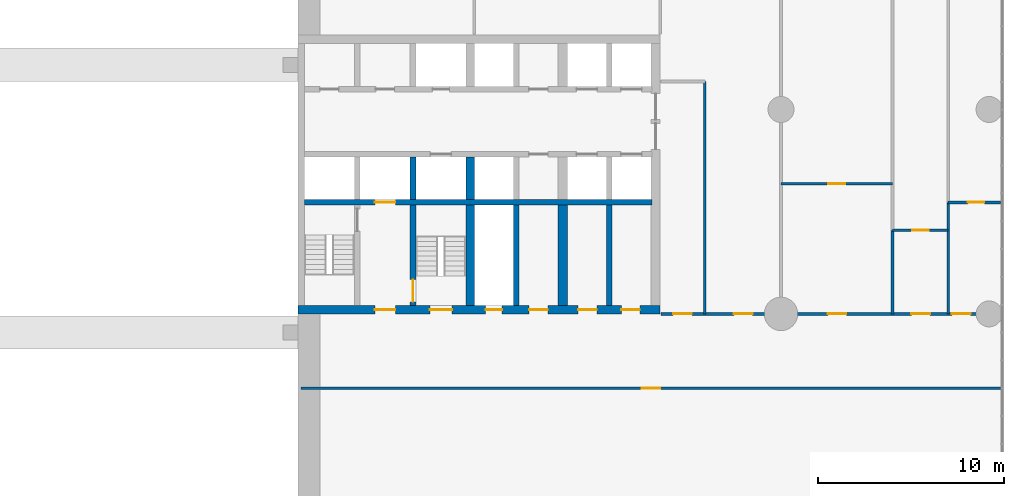
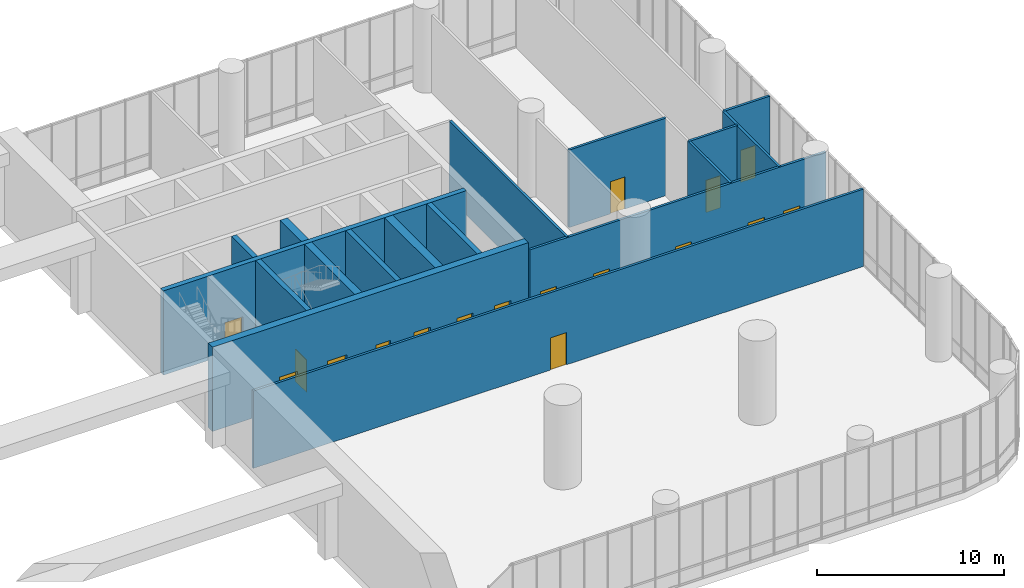
# One storey, part 26 of 30: 17 doors, 17 walls, 17 openings.
"""IFC4 building model written with IfcOpenShell, lengths in metres."""

from ifc_helpers import new_model, si_unit, direction, frame, frame_2d, origin, place, context, subcontext, project, spatial, rectangle, extrude, material, layer, layer_set, type_object, element, fill, save


model = new_model("IFC4")

# Units and contexts
model_context = context("Model", 3, precision=1e-05, world=origin(), true_north=direction((0.0, 1.0)))
body_context = subcontext(model_context, "Body", "Model", "MODEL_VIEW")
ifc_project = project(units=[si_unit("LENGTHUNIT", "METRE"), si_unit("AREAUNIT", "SQUARE_METRE"), si_unit("VOLUMEUNIT", "CUBIC_METRE"), si_unit("PLANEANGLEUNIT", "RADIAN"), si_unit("MASSUNIT", "GRAM", prefix="KILO")], contexts=[model_context])

# Site, building, storey
site_placement = place(None, origin())
site = spatial("IfcSite", under=ifc_project, at=site_placement, CompositionType="ELEMENT")
building_placement = place(site_placement, origin())
building = spatial("IfcBuilding", under=site, at=building_placement, Name="Torana Hotel and Residences", CompositionType="ELEMENT")
storey_placement = place(building_placement, frame((0.0, 0.0, 12.5)))
storey = spatial("IfcBuildingStorey", under=building, at=storey_placement, Name="L02", CompositionType="ELEMENT", Elevation=12.5)

# Wall, opening, door
ifc_material_1 = material(Name="Concrete C80/95", Category="concrete")
ifc_layer_1 = layer(ifc_material_1, 0.300048828125)
ifc_layer_set_1 = layer_set([ifc_layer_1], Name="CORE WALL 300 C80/95")
wall_type_1 = type_object("IfcWallType", Name="CORE WALL 300 C80/95", PredefinedType="SHEAR", material=ifc_layer_set_1)
wall_1_placement = place(storey_placement, frame((10.35009765625, -9.0, 0.0), z_axis=(0.0, 0.0, 1.0), x_axis=(1.0, 0.0, 0.0)))
wall_1 = element("IfcWall", 1, at=wall_1_placement, inside=storey, type_object=wall_type_1, Name="Core wall E band", PredefinedType="SHEAR", context=body_context, shape_type="SweptSolid", body=[
    extrude(rectangle(XDim=18.699951171875, YDim=0.300048828125, at=frame_2d((9.35009765625, 0.0))), origin(), (0.0, 0.0, 1.0), 5.5),
])
opening_1_placement = place(wall_1_placement, frame((3.800048828125, 0.0, 0.0)))
opening_1 = element("IfcOpeningElement", 2, at=opening_1_placement, cuts=wall_1, Name="Opening LD", PredefinedType="OPENING", context=body_context, shape_type="SweptSolid", body=[
    extrude(rectangle(XDim=1.10009765625, YDim=2.10009765625, at=frame_2d((0.550048828125, 1.050048828125))), frame((0.0, 0.159912109375, 0.0), z_axis=(0.0, -1.0, 0.0), x_axis=(1.0, 0.0, 0.0)), (0.0, 0.0, 1.0), 0.320068359375),
])
ifc_material_2 = material(Name="Stainless steel 316", Category="steel")
door_type_1 = type_object("IfcDoorType", Name="LIFT LANDING DOOR LD 1100x2100", OperationType="DOUBLE_DOOR_SLIDING", PredefinedType="USERDEFINED", material=ifc_material_2)
door_1_placement = place(opening_1_placement, origin())
door_1 = element("IfcDoor", 3, at=door_1_placement, inside=storey, type_object=door_type_1, Name="Lift landing door FF2 L02", ObjectType="LIFT LANDING DOOR", OperationType="DOUBLE_DOOR_SLIDING", OverallHeight=2.10009765625, OverallWidth=1.10009765625, PredefinedType="USERDEFINED", context=body_context, shape_type="SweptSolid", body=[
    extrude(rectangle(XDim=1.10009765625, YDim=2.10009765625, at=frame_2d((0.550048828125, 1.050048828125))), frame((0.0, 0.02490234375, 0.0), z_axis=(0.0, -1.0, 0.0), x_axis=(1.0, 0.0, 0.0)), (0.0, 0.0, 1.0), 0.050048828125),
])
fill(opening_1, door_1)

# Wall
wall_2_placement = place(storey_placement, frame((16.199951171875, -8.85009765625, 0.0), z_axis=(0.0, 0.0, 1.0), x_axis=(0.0, 1.0, 0.0)))
element("IfcWall", 4, at=wall_2_placement, inside=storey, type_object=wall_type_1, Name="Core wall E x6.05-S", PredefinedType="SHEAR", context=body_context, shape_type="SweptSolid", body=[
    extrude(rectangle(XDim=2.300048828125, YDim=0.300048828125, at=frame_2d((1.14990234375, 0.0))), origin(), (0.0, 0.0, 1.0), 5.5),
])

# Wall, opening, door
wall_3_placement = place(storey_placement, frame((16.199951171875, -14.550048828125, 0.0), z_axis=(0.0, 0.0, 1.0), x_axis=(0.0, 1.0, 0.0)))
wall_3 = element("IfcWall", 5, at=wall_3_placement, inside=storey, type_object=wall_type_1, Name="Core wall E x6.05-band", PredefinedType="SHEAR", context=body_context, shape_type="SweptSolid", body=[
    extrude(rectangle(XDim=5.400146484375, YDim=0.300048828125, at=frame_2d((2.7001953125, 0.0))), origin(), (0.0, 0.0, 1.0), 5.5),
])
opening_2_placement = place(wall_3_placement, frame((0.199951171875, 0.0, 0.0)))
opening_2 = element("IfcOpeningElement", 6, at=opening_2_placement, cuts=wall_3, Name="Opening L02-30", PredefinedType="OPENING", context=body_context, shape_type="SweptSolid", body=[
    extrude(rectangle(XDim=1.199951171875, YDim=2.10009765625, at=frame_2d((0.60009765625, 1.050048828125))), frame((0.0, 0.159912109375, 0.0), z_axis=(0.0, -1.0, 0.0), x_axis=(1.0, 0.0, 0.0)), (0.0, 0.0, 1.0), 0.320068359375),
])
ifc_material_3 = material(Name="Steel S235", Category="steel")
door_type_2 = type_object("IfcDoorType", Name="STAIR FIRE DOOR D3 1200x2100", OperationType="SINGLE_SWING_LEFT", PredefinedType="DOOR", material=ifc_material_3)
door_2_placement = place(opening_2_placement, frame((0.60009765625, 0.0, 0.0), z_axis=(0.0, 0.0, 1.0), x_axis=(-1.0, 0.0, 0.0)))
door_2 = element("IfcDoor", 7, at=door_2_placement, inside=storey, type_object=door_type_2, Name="Stair-B-lobby door L02", OperationType="SINGLE_SWING_LEFT", OverallHeight=2.10009765625, OverallWidth=1.199951171875, PredefinedType="DOOR", context=body_context, shape_type="SweptSolid", body=[
    extrude(rectangle(XDim=1.199951171875, YDim=2.10009765625, at=frame_2d((0.0, 1.050048828125))), frame((0.0, -0.02490234375, 0.0), z_axis=(0.0, 1.0, 0.0), x_axis=(-1.0, 0.0, 0.0)), (0.0, 0.0, 1.0), 0.050048828125),
])
fill(opening_2, door_2)

# Walls
for number, where, z_axis, x_axis, name in (
    (8, (21.75, -14.550048828125, 0.0), (0.0, 0.0, 1.0), (0.0, 1.0, 0.0), "Core wall E mm-band"),
    (9, (26.75, -14.550048828125, 0.0), (0.0, 0.0, 1.0), (0.0, 1.0, 0.0), "Core wall E ll-band"),
):
    element("IfcWall", number, at=place(storey_placement, frame(where, z_axis=z_axis, x_axis=x_axis)), inside=storey, type_object=wall_type_1, Name=name, PredefinedType="SHEAR", context=body_context, shape_type="SweptSolid", body=[
        extrude(rectangle(XDim=5.400146484375, YDim=0.300048828125, at=frame_2d((2.7001953125, 0.0))), origin(), (0.0, 0.0, 1.0), 5.5),
    ])

# Wall, openings, doors
ifc_material_4 = material(Name="Concrete C80/95", Category="concrete")
ifc_layer_2 = layer(ifc_material_4, 0.449951171875)
ifc_layer_set_2 = layer_set([ifc_layer_2], Name="CORE WALL 450 C80/95")
wall_type_2 = type_object("IfcWallType", Name="CORE WALL 450 C80/95", PredefinedType="SHEAR", material=ifc_layer_set_2)
wall_4_placement = place(storey_placement, frame((10.0, -14.77490234375, 0.0), z_axis=(0.0, 0.0, 1.0), x_axis=(1.0, 0.0, 0.0)))
wall_4 = element("IfcWall", 10, at=wall_4_placement, inside=storey, type_object=wall_type_2, Name="Core wall E front", PredefinedType="SHEAR", context=body_context, shape_type="SweptSolid", body=[
    extrude(rectangle(XDim=19.5, YDim=0.449951171875, at=frame_2d((9.75, 0.0))), origin(), (0.0, 0.0, 1.0), 5.5),
])
opening_3_placement = place(wall_4_placement, frame((7.10009765625, 0.0, 0.0)))
opening_3 = element("IfcOpeningElement", 11, at=opening_3_placement, cuts=wall_4, Name="Opening L02-18", PredefinedType="OPENING", context=body_context, shape_type="SweptSolid", body=[
    extrude(rectangle(XDim=1.199951171875, YDim=2.10009765625, at=frame_2d((0.60009765625, 1.050048828125))), frame((0.0, 0.23486328125, 0.0), z_axis=(0.0, -1.0, 0.0), x_axis=(1.0, 0.0, 0.0)), (0.0, 0.0, 1.0), 0.469970703125),
])
opening_4_placement = place(wall_4_placement, frame((4.14990234375, 0.0, 0.0)))
opening_4 = element("IfcOpeningElement", 12, at=opening_4_placement, cuts=wall_4, Name="Opening L02-19", PredefinedType="OPENING", context=body_context, shape_type="SweptSolid", body=[
    extrude(rectangle(XDim=1.10009765625, YDim=2.10009765625, at=frame_2d((0.550048828125, 1.050048828125))), frame((0.0, 0.23486328125, 0.0), z_axis=(0.0, -1.0, 0.0), x_axis=(1.0, 0.0, 0.0)), (0.0, 0.0, 1.0), 0.469970703125),
])
opening_5_placement = place(wall_4_placement, frame((10.10009765625, 0.0, 0.0)))
opening_5 = element("IfcOpeningElement", 13, at=opening_5_placement, cuts=wall_4, Name="Opening L02-20", PredefinedType="OPENING", context=body_context, shape_type="SweptSolid", body=[
    extrude(rectangle(XDim=0.89990234375, YDim=2.10009765625, at=frame_2d((0.449951171875, 1.050048828125))), frame((0.0, 0.23486328125, 0.0), z_axis=(0.0, -1.0, 0.0), x_axis=(1.0, 0.0, 0.0)), (0.0, 0.0, 1.0), 0.469970703125),
])
opening_6_placement = place(wall_4_placement, frame((12.449951171875, 0.0, 0.0)))
opening_6 = element("IfcOpeningElement", 14, at=opening_6_placement, cuts=wall_4, Name="Opening L02-21", PredefinedType="OPENING", context=body_context, shape_type="SweptSolid", body=[
    extrude(rectangle(XDim=1.0, YDim=2.10009765625, at=frame_2d((0.5, 1.050048828125))), frame((0.0, 0.23486328125, 0.0), z_axis=(0.0, -1.0, 0.0), x_axis=(1.0, 0.0, 0.0)), (0.0, 0.0, 1.0), 0.469970703125),
])
opening_7_placement = place(wall_4_placement, frame((15.08740234375, 0.0, 0.0)))
opening_7 = element("IfcOpeningElement", 15, at=opening_7_placement, cuts=wall_4, Name="Opening L02-22", PredefinedType="OPENING", context=body_context, shape_type="SweptSolid", body=[
    extrude(rectangle(XDim=1.0, YDim=2.10009765625, at=frame_2d((0.5, 1.050048828125))), frame((0.0, 0.23486328125, 0.0), z_axis=(0.0, -1.0, 0.0), x_axis=(1.0, 0.0, 0.0)), (0.0, 0.0, 1.0), 0.469970703125),
])
opening_8_placement = place(wall_4_placement, frame((17.41259765625, 0.0, 0.0)))
opening_8 = element("IfcOpeningElement", 16, at=opening_8_placement, cuts=wall_4, Name="Opening L02-23", PredefinedType="OPENING", context=body_context, shape_type="SweptSolid", body=[
    extrude(rectangle(XDim=1.0, YDim=2.10009765625, at=frame_2d((0.5, 1.050048828125))), frame((0.0, 0.23486328125, 0.0), z_axis=(0.0, -1.0, 0.0), x_axis=(1.0, 0.0, 0.0)), (0.0, 0.0, 1.0), 0.469970703125),
])
ifc_material_5 = material(Name="Steel S235", Category="steel")
door_type_3 = type_object("IfcDoorType", Name="CORE ROOM FIRE DOOR D14 1000x2100", OperationType="SINGLE_SWING_LEFT", PredefinedType="DOOR", material=ifc_material_5)
door_3_placement = place(opening_6_placement, origin())
door_3 = element("IfcDoor", 17, at=door_3_placement, inside=storey, type_object=door_type_3, Name="M-Room door L02", OperationType="SINGLE_SWING_RIGHT", OverallHeight=2.10009765625, OverallWidth=1.0, PredefinedType="DOOR", context=body_context, shape_type="SweptSolid", body=[
    extrude(rectangle(XDim=1.0, YDim=2.10009765625, at=frame_2d((0.5, 1.050048828125))), frame((0.0, 0.02490234375, 0.0), z_axis=(0.0, -1.0, 0.0), x_axis=(1.0, 0.0, 0.0)), (0.0, 0.0, 1.0), 0.050048828125),
])
fill(opening_6, door_3)
door_4_placement = place(opening_7_placement, origin())
door_4 = element("IfcDoor", 18, at=door_4_placement, inside=storey, type_object=door_type_3, Name="L-A door L02", OperationType="SINGLE_SWING_RIGHT", OverallHeight=2.10009765625, OverallWidth=1.0, PredefinedType="DOOR", context=body_context, shape_type="SweptSolid", body=[
    extrude(rectangle(XDim=1.0, YDim=2.10009765625, at=frame_2d((0.5, 1.050048828125))), frame((0.0, 0.02490234375, 0.0), z_axis=(0.0, -1.0, 0.0), x_axis=(1.0, 0.0, 0.0)), (0.0, 0.0, 1.0), 0.050048828125),
])
fill(opening_7, door_4)
door_5_placement = place(opening_8_placement, origin())
door_5 = element("IfcDoor", 19, at=door_5_placement, inside=storey, type_object=door_type_3, Name="L-B door L02", OperationType="SINGLE_SWING_RIGHT", OverallHeight=2.10009765625, OverallWidth=1.0, PredefinedType="DOOR", context=body_context, shape_type="SweptSolid", body=[
    extrude(rectangle(XDim=1.0, YDim=2.10009765625, at=frame_2d((0.5, 1.050048828125))), frame((0.0, 0.02490234375, 0.0), z_axis=(0.0, -1.0, 0.0), x_axis=(1.0, 0.0, 0.0)), (0.0, 0.0, 1.0), 0.050048828125),
])
fill(opening_8, door_5)
ifc_material_6 = material(Name="Steel S235", Category="steel")
door_type_4 = type_object("IfcDoorType", Name="FIRE-FIGHTING LOBBY DOOR D8 1100x2100", OperationType="SINGLE_SWING_LEFT", PredefinedType="DOOR", material=ifc_material_6)
door_6_placement = place(opening_4_placement, origin())
door_6 = element("IfcDoor", 20, at=door_6_placement, inside=storey, type_object=door_type_4, Name="FF-lobby door L02", OperationType="SINGLE_SWING_RIGHT", OverallHeight=2.10009765625, OverallWidth=1.10009765625, PredefinedType="DOOR", context=body_context, shape_type="SweptSolid", body=[
    extrude(rectangle(XDim=1.10009765625, YDim=2.10009765625, at=frame_2d((0.550048828125, 1.050048828125))), frame((0.0, 0.02490234375, 0.0), z_axis=(0.0, -1.0, 0.0), x_axis=(1.0, 0.0, 0.0)), (0.0, 0.0, 1.0), 0.050048828125),
])
fill(opening_4, door_6)
ifc_material_7 = material(Name="Steel S235", Category="steel")
door_type_5 = type_object("IfcDoorType", Name="RISER ACCESS DOOR D5 900x2100", OperationType="SINGLE_SWING_LEFT", PredefinedType="DOOR", material=ifc_material_7)
door_7_placement = place(opening_5_placement, origin())
door_7 = element("IfcDoor", 21, at=door_7_placement, inside=storey, type_object=door_type_5, Name="M-Riser door L02", OperationType="SINGLE_SWING_RIGHT", OverallHeight=2.10009765625, OverallWidth=0.89990234375, PredefinedType="DOOR", context=body_context, shape_type="SweptSolid", body=[
    extrude(rectangle(XDim=0.89990234375, YDim=2.10009765625, at=frame_2d((0.449951171875, 1.050048828125))), frame((0.0, 0.02490234375, 0.0), z_axis=(0.0, -1.0, 0.0), x_axis=(1.0, 0.0, 0.0)), (0.0, 0.0, 1.0), 0.050048828125),
])
fill(opening_5, door_7)
door_8_placement = place(opening_3_placement, origin())
door_8 = element("IfcDoor", 22, at=door_8_placement, inside=storey, type_object=door_type_2, Name="Stair-B door L02", OperationType="SINGLE_SWING_RIGHT", OverallHeight=2.10009765625, OverallWidth=1.199951171875, PredefinedType="DOOR", context=body_context, shape_type="SweptSolid", body=[
    extrude(rectangle(XDim=1.199951171875, YDim=2.10009765625, at=frame_2d((0.60009765625, 1.050048828125))), frame((0.0, 0.02490234375, 0.0), z_axis=(0.0, -1.0, 0.0), x_axis=(1.0, 0.0, 0.0)), (0.0, 0.0, 1.0), 0.050048828125),
])
fill(opening_3, door_8)

# Walls
wall_5_placement = place(storey_placement, frame((19.27490234375, -8.85009765625, 0.0), z_axis=(0.0, 0.0, 1.0), x_axis=(0.0, 1.0, 0.0)))
element("IfcWall", 23, at=wall_5_placement, inside=storey, type_object=wall_type_2, Name="Core wall E hm-S", PredefinedType="SHEAR", context=body_context, shape_type="SweptSolid", body=[
    extrude(rectangle(XDim=2.300048828125, YDim=0.449951171875, at=frame_2d((1.14990234375, 0.0))), origin(), (0.0, 0.0, 1.0), 5.5),
])
wall_6_placement = place(storey_placement, frame((19.27490234375, -14.550048828125, 0.0), z_axis=(0.0, 0.0, 1.0), x_axis=(0.0, 1.0, 0.0)))
element("IfcWall", 24, at=wall_6_placement, inside=storey, type_object=wall_type_2, Name="Core wall E hm-band", PredefinedType="SHEAR", context=body_context, shape_type="SweptSolid", body=[
    extrude(rectangle(XDim=5.400146484375, YDim=0.449951171875, at=frame_2d((2.7001953125, 0.0))), origin(), (0.0, 0.0, 1.0), 5.5),
])
ifc_material_8 = material(Name="Concrete C80/95", Category="concrete")
ifc_layer_3 = layer(ifc_material_8, 0.5)
ifc_layer_set_3 = layer_set([ifc_layer_3], Name="CORE WALL 500 C80/95")
wall_type_3 = type_object("IfcWallType", Name="CORE WALL 500 C80/95", PredefinedType="SHEAR", material=ifc_layer_set_3)
wall_7_placement = place(storey_placement, frame((24.25, -14.550048828125, 0.0), z_axis=(0.0, 0.0, 1.0), x_axis=(0.0, 1.0, 0.0)))
element("IfcWall", 25, at=wall_7_placement, inside=storey, type_object=wall_type_3, Name="Core wall E ml-band", PredefinedType="SHEAR", context=body_context, shape_type="SweptSolid", body=[
    extrude(rectangle(XDim=5.400146484375, YDim=0.5, at=frame_2d((2.7001953125, 0.0))), origin(), (0.0, 0.0, 1.0), 5.5),
])
ifc_material_9 = material(Name="Gypsum plaster")
ifc_layer_4 = layer(ifc_material_9, 0.014892578125, Name="Plaster", Category="finish")
ifc_material_10 = material(Name="Concrete blockwork", Category="masonry")
ifc_layer_5 = layer(ifc_material_10, 0.1201171875, Name="Blockwork", Category="structure")
ifc_layer_6 = layer(ifc_material_9, 0.014892578125, Name="Plaster", Category="finish")
ifc_layer_set_4 = layer_set([ifc_layer_4, ifc_layer_5, ifc_layer_6], Name="FIRE PARTITION 150 BLOCKWORK")
wall_type_4 = type_object("IfcWallType", Name="FIRE PARTITION 150 BLOCKWORK", PredefinedType="PARTITIONING", material=ifc_layer_set_4)
wall_8_placement = place(storey_placement, frame((31.89990234375, -15.0, 0.0), z_axis=(0.0, 0.0, 1.0), x_axis=(0.0, 1.0, 0.0)))
element("IfcWall", 26, at=wall_8_placement, inside=storey, type_object=wall_type_4, Name="Partition L02", PredefinedType="PARTITIONING", context=body_context, shape_type="SweptSolid", body=[
    extrude(rectangle(XDim=12.5, YDim=0.14990234375, at=frame_2d((6.25, 0.0))), origin(), (0.0, 0.0, 1.0), 5.050048828125),
])

# Wall, opening, door
wall_9_placement = place(storey_placement, frame((10.179931640625, -19.0, 0.0), z_axis=(0.0, 0.0, 1.0), x_axis=(1.0, 0.0, 0.0)))
wall_9 = element("IfcWall", 27, at=wall_9_placement, inside=storey, type_object=wall_type_4, Name="Partition L02", PredefinedType="PARTITIONING", context=body_context, shape_type="SweptSolid", body=[
    extrude(rectangle(XDim=37.64013671875, YDim=0.14990234375, at=frame_2d((18.820068359375, 0.0))), origin(), (0.0, 0.0, 1.0), 5.050048828125),
])
opening_9_placement = place(wall_9_placement, frame((18.320068359375, 0.0, 0.0)))
opening_9 = element("IfcOpeningElement", 28, at=opening_9_placement, cuts=wall_9, Name="Opening L02-31", PredefinedType="OPENING", context=body_context, shape_type="SweptSolid", body=[
    extrude(rectangle(XDim=1.0, YDim=2.10009765625, at=frame_2d((0.5, 1.050048828125))), frame((0.0, 0.0849609375, 0.0), z_axis=(0.0, -1.0, 0.0), x_axis=(1.0, 0.0, 0.0)), (0.0, 0.0, 1.0), 0.169921875),
])
ifc_material_11 = material(Name="Steel S235", Category="steel")
door_type_6 = type_object("IfcDoorType", Name="ENTRY FIRE DOOR D6 1000x2100", OperationType="SINGLE_SWING_LEFT", PredefinedType="DOOR", material=ifc_material_11)
door_9_placement = place(opening_9_placement, frame((0.5, 0.0, 0.0), z_axis=(0.0, 0.0, 1.0), x_axis=(-1.0, 0.0, 0.0)))
door_9 = element("IfcDoor", 29, at=door_9_placement, inside=storey, type_object=door_type_6, Name="Door L02", OperationType="SINGLE_SWING_LEFT", OverallHeight=2.10009765625, OverallWidth=1.0, PredefinedType="DOOR", context=body_context, shape_type="SweptSolid", body=[
    extrude(rectangle(XDim=1.0, YDim=2.10009765625, at=frame_2d((0.0, 1.050048828125))), frame((0.0, -0.02490234375, 0.0), z_axis=(0.0, 1.0, 0.0), x_axis=(-1.0, 0.0, 0.0)), (0.0, 0.0, 1.0), 0.050048828125),
])
fill(opening_9, door_9)

# Wall, openings, doors
wall_10_placement = place(storey_placement, frame((29.550048828125, -15.0, 0.0), z_axis=(0.0, 0.0, 1.0), x_axis=(1.0, 0.0, 0.0)))
wall_10 = element("IfcWall", 30, at=wall_10_placement, inside=storey, type_object=wall_type_4, Name="Partition L02", PredefinedType="PARTITIONING", context=body_context, shape_type="SweptSolid", body=[
    extrude(rectangle(XDim=18.27001953125, YDim=0.14990234375, at=frame_2d((9.135009765625, 0.0))), origin(), (0.0, 0.0, 1.0), 5.050048828125),
])
opening_10_placement = place(wall_10_placement, frame((15.64990234375, 0.0, 0.0)))
opening_10 = element("IfcOpeningElement", 31, at=opening_10_placement, cuts=wall_10, Name="Opening L02-32", PredefinedType="OPENING", context=body_context, shape_type="SweptSolid", body=[
    extrude(rectangle(XDim=1.0, YDim=2.10009765625, at=frame_2d((0.5, 1.050048828125))), frame((0.0, 0.0849609375, 0.0), z_axis=(0.0, -1.0, 0.0), x_axis=(1.0, 0.0, 0.0)), (0.0, 0.0, 1.0), 0.169921875),
])
opening_11_placement = place(wall_10_placement, frame((13.469970703125, 0.0, 0.0)))
opening_11 = element("IfcOpeningElement", 32, at=opening_11_placement, cuts=wall_10, Name="Opening L02-33", PredefinedType="OPENING", context=body_context, shape_type="SweptSolid", body=[
    extrude(rectangle(XDim=1.0, YDim=2.10009765625, at=frame_2d((0.5, 1.050048828125))), frame((0.0, 0.0849609375, 0.0), z_axis=(0.0, -1.0, 0.0), x_axis=(1.0, 0.0, 0.0)), (0.0, 0.0, 1.0), 0.169921875),
])
opening_12_placement = place(wall_10_placement, frame((8.969970703125, 0.0, 0.0)))
opening_12 = element("IfcOpeningElement", 33, at=opening_12_placement, cuts=wall_10, Name="Opening L02-34", PredefinedType="OPENING", context=body_context, shape_type="SweptSolid", body=[
    extrude(rectangle(XDim=1.0, YDim=2.10009765625, at=frame_2d((0.5, 1.050048828125))), frame((0.0, 0.0849609375, 0.0), z_axis=(0.0, -1.0, 0.0), x_axis=(1.0, 0.0, 0.0)), (0.0, 0.0, 1.0), 0.169921875),
])
opening_13_placement = place(wall_10_placement, frame((3.919921875, 0.0, 0.0)))
opening_13 = element("IfcOpeningElement", 34, at=opening_13_placement, cuts=wall_10, Name="Opening L02-35", PredefinedType="OPENING", context=body_context, shape_type="SweptSolid", body=[
    extrude(rectangle(XDim=1.0, YDim=2.10009765625, at=frame_2d((0.5, 1.050048828125))), frame((0.0, 0.0849609375, 0.0), z_axis=(0.0, -1.0, 0.0), x_axis=(1.0, 0.0, 0.0)), (0.0, 0.0, 1.0), 0.169921875),
])
opening_14_placement = place(wall_10_placement, frame((0.64990234375, 0.0, 0.0)))
opening_14 = element("IfcOpeningElement", 35, at=opening_14_placement, cuts=wall_10, Name="Opening L02-36", PredefinedType="OPENING", context=body_context, shape_type="SweptSolid", body=[
    extrude(rectangle(XDim=1.0, YDim=2.10009765625, at=frame_2d((0.5, 1.050048828125))), frame((0.0, 0.0849609375, 0.0), z_axis=(0.0, -1.0, 0.0), x_axis=(1.0, 0.0, 0.0)), (0.0, 0.0, 1.0), 0.169921875),
])
door_10_placement = place(opening_10_placement, origin())
door_10 = element("IfcDoor", 36, at=door_10_placement, inside=storey, type_object=door_type_3, Name="Door L02", OperationType="SINGLE_SWING_RIGHT", OverallHeight=2.10009765625, OverallWidth=1.0, PredefinedType="DOOR", context=body_context, shape_type="SweptSolid", body=[
    extrude(rectangle(XDim=1.0, YDim=2.10009765625, at=frame_2d((0.5, 1.050048828125))), frame((0.0, 0.02490234375, 0.0), z_axis=(0.0, -1.0, 0.0), x_axis=(1.0, 0.0, 0.0)), (0.0, 0.0, 1.0), 0.050048828125),
])
fill(opening_10, door_10)
door_11_placement = place(opening_11_placement, origin())
door_11 = element("IfcDoor", 37, at=door_11_placement, inside=storey, type_object=door_type_3, Name="Door L02", OperationType="SINGLE_SWING_RIGHT", OverallHeight=2.10009765625, OverallWidth=1.0, PredefinedType="DOOR", context=body_context, shape_type="SweptSolid", body=[
    extrude(rectangle(XDim=1.0, YDim=2.10009765625, at=frame_2d((0.5, 1.050048828125))), frame((0.0, 0.02490234375, 0.0), z_axis=(0.0, -1.0, 0.0), x_axis=(1.0, 0.0, 0.0)), (0.0, 0.0, 1.0), 0.050048828125),
])
fill(opening_11, door_11)
door_12_placement = place(opening_12_placement, origin())
door_12 = element("IfcDoor", 38, at=door_12_placement, inside=storey, type_object=door_type_3, Name="Door L02", OperationType="SINGLE_SWING_RIGHT", OverallHeight=2.10009765625, OverallWidth=1.0, PredefinedType="DOOR", context=body_context, shape_type="SweptSolid", body=[
    extrude(rectangle(XDim=1.0, YDim=2.10009765625, at=frame_2d((0.5, 1.050048828125))), frame((0.0, 0.02490234375, 0.0), z_axis=(0.0, -1.0, 0.0), x_axis=(1.0, 0.0, 0.0)), (0.0, 0.0, 1.0), 0.050048828125),
])
fill(opening_12, door_12)
door_13_placement = place(opening_13_placement, origin())
door_13 = element("IfcDoor", 39, at=door_13_placement, inside=storey, type_object=door_type_3, Name="Door L02", OperationType="SINGLE_SWING_LEFT", OverallHeight=2.10009765625, OverallWidth=1.0, PredefinedType="DOOR", context=body_context, shape_type="SweptSolid", body=[
    extrude(rectangle(XDim=1.0, YDim=2.10009765625, at=frame_2d((0.5, 1.050048828125))), frame((0.0, 0.02490234375, 0.0), z_axis=(0.0, -1.0, 0.0), x_axis=(1.0, 0.0, 0.0)), (0.0, 0.0, 1.0), 0.050048828125),
])
fill(opening_13, door_13)
door_14_placement = place(opening_14_placement, origin())
door_14 = element("IfcDoor", 40, at=door_14_placement, inside=storey, type_object=door_type_6, Name="Door L02", OperationType="SINGLE_SWING_RIGHT", OverallHeight=2.10009765625, OverallWidth=1.0, PredefinedType="DOOR", context=body_context, shape_type="SweptSolid", body=[
    extrude(rectangle(XDim=1.0, YDim=2.10009765625, at=frame_2d((0.5, 1.050048828125))), frame((0.0, 0.02490234375, 0.0), z_axis=(0.0, -1.0, 0.0), x_axis=(1.0, 0.0, 0.0)), (0.0, 0.0, 1.0), 0.050048828125),
])
fill(opening_14, door_14)

# Wall, opening, door
ifc_material_12 = material(Name="Gypsum plasterboard")
ifc_layer_7 = layer(ifc_material_12, 0.012451171875, Name="Plasterboard", Category="finish")
ifc_layer_8 = layer(ifc_material_12, 0.012451171875, Name="Plasterboard", Category="finish")
ifc_material_13 = material(Name="Steel S280GD", Category="steel")
ifc_layer_9 = layer(ifc_material_13, 0.10009765625, Name="Steel studs with mineral wool", Category="insulation")
ifc_layer_10 = layer(ifc_material_12, 0.012451171875, Name="Plasterboard", Category="finish")
ifc_layer_11 = layer(ifc_material_12, 0.012451171875, Name="Plasterboard", Category="finish")
ifc_layer_set_5 = layer_set([ifc_layer_7, ifc_layer_8, ifc_layer_9, ifc_layer_10, ifc_layer_11], Name="PARTITION 150 PLASTERBOARD")
wall_type_5 = type_object("IfcWallType", Name="PARTITION 150 PLASTERBOARD", PredefinedType="PARTITIONING", material=ifc_layer_set_5)
wall_11_placement = place(storey_placement, frame((36.0, -8.0, 0.0), z_axis=(0.0, 0.0, 1.0), x_axis=(1.0, 0.0, 0.0)))
wall_11 = element("IfcWall", 41, at=wall_11_placement, inside=storey, type_object=wall_type_5, Name="Partition L02", PredefinedType="PARTITIONING", context=body_context, shape_type="SweptSolid", body=[
    extrude(rectangle(XDim=6.0, YDim=0.14990234375, at=frame_2d((3.0, 0.0))), origin(), (0.0, 0.0, 1.0), 5.050048828125),
])
opening_15_placement = place(wall_11_placement, frame((2.550048828125, 0.0, 0.0)))
opening_15 = element("IfcOpeningElement", 42, at=opening_15_placement, cuts=wall_11, Name="Opening L02-39", PredefinedType="OPENING", context=body_context, shape_type="SweptSolid", body=[
    extrude(rectangle(XDim=0.89990234375, YDim=2.10009765625, at=frame_2d((0.449951171875, 1.050048828125))), frame((0.0, 0.0849609375, 0.0), z_axis=(0.0, -1.0, 0.0), x_axis=(1.0, 0.0, 0.0)), (0.0, 0.0, 1.0), 0.169921875),
])
ifc_material_14 = material(Name="Timber door, oiled ash", Category="wood")
door_type_7 = type_object("IfcDoorType", Name="ROOM DOOR D7 900x2100", OperationType="SINGLE_SWING_LEFT", PredefinedType="DOOR", material=ifc_material_14)
door_15_placement = place(opening_15_placement, origin())
door_15 = element("IfcDoor", 43, at=door_15_placement, inside=storey, type_object=door_type_7, Name="Door L02", OperationType="SINGLE_SWING_RIGHT", OverallHeight=2.10009765625, OverallWidth=0.89990234375, PredefinedType="DOOR", context=body_context, shape_type="SweptSolid", body=[
    extrude(rectangle(XDim=0.89990234375, YDim=2.10009765625, at=frame_2d((0.449951171875, 1.050048828125))), frame((0.0, 0.02490234375, 0.0), z_axis=(0.0, -1.0, 0.0), x_axis=(1.0, 0.0, 0.0)), (0.0, 0.0, 1.0), 0.050048828125),
])
fill(opening_15, door_15)

# Walls
ifc_material_15 = material(Name="Ceramic tile on adhesive")
ifc_layer_12 = layer(ifc_material_15, 0.010009765625, Name="Wall tile", Category="finish")
ifc_material_16 = material(Name="Cement render")
ifc_layer_13 = layer(ifc_material_16, 0.010009765625, Name="Render", Category="finish")
ifc_layer_14 = layer(ifc_material_10, 0.110107421875, Name="Blockwork", Category="structure")
ifc_layer_15 = layer(ifc_material_16, 0.010009765625, Name="Render", Category="finish")
ifc_layer_16 = layer(ifc_material_15, 0.010009765625, Name="Wall tile", Category="finish")
ifc_layer_set_6 = layer_set([ifc_layer_12, ifc_layer_13, ifc_layer_14, ifc_layer_15, ifc_layer_16], Name="WC PARTITION 150")
wall_type_6 = type_object("IfcWallType", Name="WC PARTITION 150", PredefinedType="PLUMBINGWALL", material=ifc_layer_set_6)
wall_12_placement = place(storey_placement, frame((45.0, -15.0, 0.0), z_axis=(0.0, 0.0, 1.0), x_axis=(0.0, 1.0, 0.0)))
element("IfcWall", 44, at=wall_12_placement, inside=storey, type_object=wall_type_6, Name="Partition L02", PredefinedType="PLUMBINGWALL", context=body_context, shape_type="SweptSolid", body=[
    extrude(rectangle(XDim=6.0, YDim=0.14990234375, at=frame_2d((3.0, 0.0))), origin(), (0.0, 0.0, 1.0), 5.050048828125),
])
wall_13_placement = place(storey_placement, frame((42.0, -15.0, 0.0), z_axis=(0.0, 0.0, 1.0), x_axis=(0.0, 1.0, 0.0)))
element("IfcWall", 45, at=wall_13_placement, inside=storey, type_object=wall_type_6, Name="Partition L02", PredefinedType="PLUMBINGWALL", context=body_context, shape_type="SweptSolid", body=[
    extrude(rectangle(XDim=4.5, YDim=0.14990234375, at=frame_2d((2.25, 0.0))), origin(), (0.0, 0.0, 1.0), 5.050048828125),
])

# Wall, opening, door
wall_14_placement = place(storey_placement, frame((42.0, -10.5, 0.0), z_axis=(0.0, 0.0, 1.0), x_axis=(1.0, 0.0, 0.0)))
wall_14 = element("IfcWall", 46, at=wall_14_placement, inside=storey, type_object=wall_type_6, Name="Partition L02", PredefinedType="PLUMBINGWALL", context=body_context, shape_type="SweptSolid", body=[
    extrude(rectangle(XDim=3.0, YDim=0.14990234375, at=frame_2d((1.5, 0.0))), origin(), (0.0, 0.0, 1.0), 5.050048828125),
])
opening_16_placement = place(wall_14_placement, frame((1.050048828125, 0.0, 0.0)))
opening_16 = element("IfcOpeningElement", 47, at=opening_16_placement, cuts=wall_14, Name="Opening L02-38", PredefinedType="OPENING", context=body_context, shape_type="SweptSolid", body=[
    extrude(rectangle(XDim=0.89990234375, YDim=2.10009765625, at=frame_2d((0.449951171875, 1.050048828125))), frame((0.0, 0.0849609375, 0.0), z_axis=(0.0, -1.0, 0.0), x_axis=(1.0, 0.0, 0.0)), (0.0, 0.0, 1.0), 0.169921875),
])
door_16_placement = place(opening_16_placement, origin())
door_16 = element("IfcDoor", 48, at=door_16_placement, inside=storey, type_object=door_type_7, Name="Door L02", OperationType="SINGLE_SWING_RIGHT", OverallHeight=2.10009765625, OverallWidth=0.89990234375, PredefinedType="DOOR", context=body_context, shape_type="SweptSolid", body=[
    extrude(rectangle(XDim=0.89990234375, YDim=2.10009765625, at=frame_2d((0.449951171875, 1.050048828125))), frame((0.0, 0.02490234375, 0.0), z_axis=(0.0, -1.0, 0.0), x_axis=(1.0, 0.0, 0.0)), (0.0, 0.0, 1.0), 0.050048828125),
])
fill(opening_16, door_16)

wall_15_placement = place(storey_placement, frame((45.0, -9.0, 0.0), z_axis=(0.0, 0.0, 1.0), x_axis=(1.0, 0.0, 0.0)))
wall_15 = element("IfcWall", 49, at=wall_15_placement, inside=storey, type_object=wall_type_6, Name="Partition L02", PredefinedType="PLUMBINGWALL", context=body_context, shape_type="SweptSolid", body=[
    extrude(rectangle(XDim=2.820068359375, YDim=0.14990234375, at=frame_2d((1.41015625, 0.0))), origin(), (0.0, 0.0, 1.0), 5.050048828125),
])
opening_17_placement = place(wall_15_placement, frame((1.050048828125, 0.0, 0.0)))
opening_17 = element("IfcOpeningElement", 50, at=opening_17_placement, cuts=wall_15, Name="Opening L02-37", PredefinedType="OPENING", context=body_context, shape_type="SweptSolid", body=[
    extrude(rectangle(XDim=0.89990234375, YDim=2.10009765625, at=frame_2d((0.449951171875, 1.050048828125))), frame((0.0, 0.0849609375, 0.0), z_axis=(0.0, -1.0, 0.0), x_axis=(1.0, 0.0, 0.0)), (0.0, 0.0, 1.0), 0.169921875),
])
door_17_placement = place(opening_17_placement, origin())
door_17 = element("IfcDoor", 51, at=door_17_placement, inside=storey, type_object=door_type_7, Name="Door L02", OperationType="SINGLE_SWING_LEFT", OverallHeight=2.10009765625, OverallWidth=0.89990234375, PredefinedType="DOOR", context=body_context, shape_type="SweptSolid", body=[
    extrude(rectangle(XDim=0.89990234375, YDim=2.10009765625, at=frame_2d((0.449951171875, 1.050048828125))), frame((0.0, 0.02490234375, 0.0), z_axis=(0.0, -1.0, 0.0), x_axis=(1.0, 0.0, 0.0)), (0.0, 0.0, 1.0), 0.050048828125),
])
fill(opening_17, door_17)

save(model, "model.ifc")
